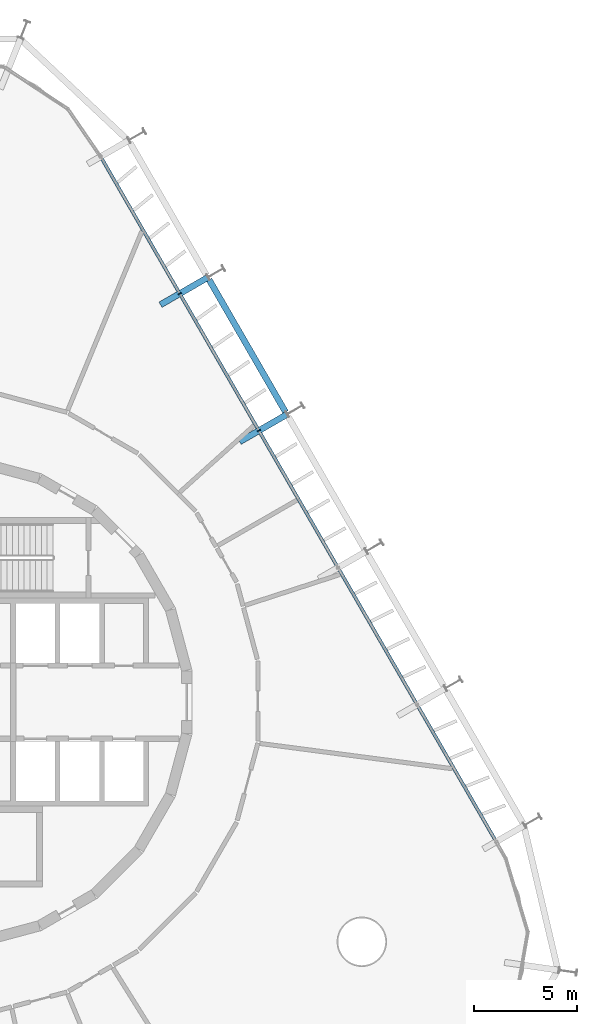
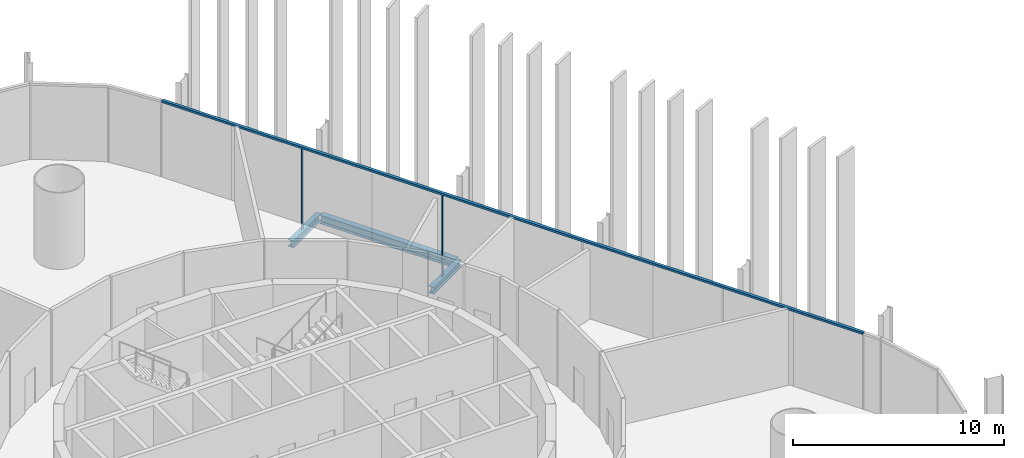
# One storey, part 10 of 17: 3 beams, 3 members, 1 element without a shape of its own.
"""IFC4 building model written with IfcOpenShell, lengths in metres."""

import ifcopenshell
import ifcopenshell.guid

model = None  # the IFC model being written
_history = None  # IfcOwnerHistory: only IFC2X3 demands one
_inside = {}  # id of a spatial element -> (the spatial element, [elements in it])
_under = {}  # id of a project, library or spatial element -> (it, [spatial elements below it])
_declared = {}  # id of a project -> (the project, [libraries it declares])
_typed = {}  # id of a type object -> (the type object, [elements of that type])
_made_of = {}  # id of a material, layer set ... -> (it, [elements and type objects made of it])


def new_model(schema):
    """Start an empty IFC model of exactly this schema.

    Asked for "IFC4X3", IfcOpenShell would pick the latest addendum, in which some entities
    have other attributes; the version numbers below select the first issue.
    IFC2X3 requires an IfcOwnerHistory on every rooted entity: one is made here for all.
    """
    global model, _history
    if schema == "IFC4X3":
        model = ifcopenshell.file(schema_version=(4, 3, 0, 0))
    else:
        model = ifcopenshell.file(schema=schema)
    _inside.clear()
    _under.clear()
    _declared.clear()
    _typed.clear()
    _made_of.clear()
    _history = None
    if model.schema == "IFC2X3":
        org = make("IfcOrganization", Name="unknown")
        user = make(
            "IfcPersonAndOrganization",
            ThePerson=make("IfcPerson", FamilyName="unknown"),
            TheOrganization=org,
        )
        app = make(
            "IfcApplication",
            ApplicationDeveloper=org,
            Version="unknown",
            ApplicationFullName="unknown",
            ApplicationIdentifier="unknown",
        )
        _history = make(
            "IfcOwnerHistory",
            OwningUser=user,
            OwningApplication=app,
            ChangeAction="ADDED",
            CreationDate=0,
        )
    return model


def make(cls, **values):
    """One entity of the class cls with the attributes given. An attribute that is None is left unset."""
    return model.create_entity(
        cls, **{name: value for name, value in values.items() if value is not None}
    )


def rooted(cls, **values):
    """An entity with a GlobalId (a new one), such as an element, a storey or a relation."""
    return make(cls, GlobalId=ifcopenshell.guid.new(), OwnerHistory=_history, **values)


def si_unit(unit_type, name, prefix=None):
    """IfcSIUnit, for example si_unit("LENGTHUNIT", "METRE", prefix="MILLI")."""
    return make("IfcSIUnit", UnitType=unit_type, Prefix=prefix, Name=name)


def assignment(units):
    """IfcUnitAssignment: the units of a project."""
    return None if units is None else make("IfcUnitAssignment", Units=units)


def point(xyz):
    """IfcCartesianPoint."""
    return None if xyz is None else make("IfcCartesianPoint", Coordinates=xyz)


def direction(xyz):
    """IfcDirection."""
    return None if xyz is None else make("IfcDirection", DirectionRatios=xyz)


def frame(location, z_axis=None, x_axis=None):
    """IfcAxis2Placement3D, a coordinate frame: its origin and axes. An axis left out is left unset."""
    return make(
        "IfcAxis2Placement3D",
        Location=point(location),
        Axis=direction(z_axis),
        RefDirection=direction(x_axis),
    )


def frame_2d(location, x_axis=None):
    """IfcAxis2Placement2D, a coordinate frame in the plane: its origin and x axis."""
    return make(
        "IfcAxis2Placement2D", Location=point(location), RefDirection=direction(x_axis)
    )


def origin():
    """The frame at (0, 0, 0) with its axes left unset."""
    return frame((0.0, 0.0, 0.0))


def origin_2d():
    """The frame at (0, 0) in the plane with its x axis left unset."""
    return frame_2d((0.0, 0.0))


def place(relative_to, where):
    """IfcLocalPlacement: puts the frame where relative to a parent placement (None: the world)."""
    return make(
        "IfcLocalPlacement", PlacementRelTo=relative_to, RelativePlacement=where
    )


def context(
    kind, dimensions, precision=None, world=None, true_north=None, identifier=None
):
    """IfcGeometricRepresentationContext, for example the 3D "Model" context."""
    return make(
        "IfcGeometricRepresentationContext",
        ContextIdentifier=identifier,
        ContextType=kind,
        CoordinateSpaceDimension=dimensions,
        Precision=precision,
        WorldCoordinateSystem=world,
        TrueNorth=true_north,
    )


def subcontext(parent, identifier, kind, view, scale=None):
    """IfcGeometricRepresentationSubContext, for example "Body" below "Model"."""
    return make(
        "IfcGeometricRepresentationSubContext",
        ContextIdentifier=identifier,
        ContextType=kind,
        ParentContext=parent,
        TargetScale=scale,
        TargetView=view,
    )


def project(units=None, contexts=None):
    """IfcProject with its units and contexts."""
    return rooted(
        "IfcProject",
        Name="project",
        RepresentationContexts=contexts,
        UnitsInContext=assignment(units),
    )


def spatial(cls, under=None, at=None, **own):
    """A site, building, storey or space (cls), placed at a placement, below another one or the project."""
    s = rooted(cls, ObjectPlacement=at, **own)
    if under is not None:
        _under.setdefault(under.id(), (under, []))[1].append(s)
    return s


def profile(cls, at=None, kind="AREA", **sizes):
    """A parametric profile (cls). Its sizes go by their IFC names, for example OverallWidth=200.0."""
    return make(cls, ProfileType=kind, Position=at, **sizes)


def rectangle(**sizes):
    """IfcRectangleProfileDef."""
    return profile("IfcRectangleProfileDef", **sizes)


def i_section(**sizes):
    """IfcIShapeProfileDef."""
    return profile("IfcIShapeProfileDef", **sizes)


def extrude(swept, where, along, depth):
    """IfcExtrudedAreaSolid: the profile swept, set in the frame where, extruded along a direction by depth."""
    return make(
        "IfcExtrudedAreaSolid",
        SweptArea=swept,
        Position=where,
        ExtrudedDirection=direction(along),
        Depth=depth,
    )


def shape(context_of_items, identifier, shape_type, items):
    """IfcShapeRepresentation: the items that make up one representation, for example the "Body"."""
    return make(
        "IfcShapeRepresentation",
        ContextOfItems=context_of_items,
        RepresentationIdentifier=identifier,
        RepresentationType=shape_type,
        Items=items,
    )


def material(Name=None, Category=None):
    """IfcMaterial."""
    return make("IfcMaterial", Name=Name, Category=Category)


def layer(
    of_material, thickness, ventilated=None, Name=None, Category=None, Priority=None
):
    """IfcMaterialLayer: one layer of a wall or slab, of a material (None: an air gap)."""
    return make(
        "IfcMaterialLayer",
        Material=of_material,
        LayerThickness=thickness,
        IsVentilated=ventilated,
        Name=Name,
        Category=Category,
        Priority=Priority,
    )


def layer_set(layers, Name=None):
    """IfcMaterialLayerSet."""
    return make("IfcMaterialLayerSet", MaterialLayers=layers, LayerSetName=Name)


def material_profile(
    of_material, cross_section, Name=None, Category=None, Priority=None
):
    """IfcMaterialProfile: a cross section and its material."""
    return make(
        "IfcMaterialProfile",
        Name=Name,
        Material=of_material,
        Profile=cross_section,
        Priority=Priority,
        Category=Category,
    )


def profile_set(profiles, Name=None, composite=None):
    """IfcMaterialProfileSet."""
    return make(
        "IfcMaterialProfileSet",
        Name=Name,
        MaterialProfiles=profiles,
        CompositeProfile=composite,
    )


def made_of(thing, what):
    """Note that an element or type object is made of a material, layer set ...; save() writes the relation."""
    if what is not None:
        _made_of.setdefault(what.id(), (what, []))[1].append(thing)
    return thing


def type_object(cls, material=None, **own):
    """A type object (cls), such as IfcWallType, which elements share."""
    return made_of(rooted(cls, **own), material)


def element(
    cls,
    number,
    at=None,
    inside=None,
    cuts=None,
    type_object=None,
    material=None,
    context=None,
    identifier="Body",
    shape_type=None,
    held_by="IfcProductDefinitionShape",
    body=None,
    shapes=None,
    **own,
):
    """One element of the class cls, such as IfcWall. Its Tag is "e" and its number.

    at: its placement. inside: the storey or other place that contains it. cuts: it is an
    opening in that element (IfcRelVoidsElement). A single representation is given by context,
    identifier, shape_type and body (its items); several are given by shapes. held_by: the class
    of the entity that holds the representations. save() writes the other relations.
    """
    e = rooted(cls, Tag="e%d" % number, ObjectPlacement=at, **own)
    if body is not None:
        shapes = [shape(context, identifier, shape_type, body)]
    if shapes is not None:
        e.Representation = make(held_by, Representations=shapes)
    if inside is not None:
        _inside.setdefault(inside.id(), (inside, []))[1].append(e)
    if cuts is not None:
        rooted(
            "IfcRelVoidsElement", RelatingBuildingElement=cuts, RelatedOpeningElement=e
        )
    if type_object is not None:
        _typed.setdefault(type_object.id(), (type_object, []))[1].append(e)
    return made_of(e, material)


def aggregate(whole, parts):
    """IfcRelAggregates: a whole, such as a stair, and the parts it consists of."""
    return rooted("IfcRelAggregates", RelatingObject=whole, RelatedObjects=parts)


def save(model, path):
    """Write the relations noted so far, then the file.

    IfcRelAggregates (storeys below a building ...), IfcRelContainedInSpatialStructure (elements
    in a storey), IfcRelDefinesByType, IfcRelAssociatesMaterial and IfcRelDeclares: one each for
    every whole, place, type object, material and project.
    """
    for whole, parts in _under.values():
        aggregate(whole, parts)
    for where, things in _inside.values():
        rooted(
            "IfcRelContainedInSpatialStructure",
            RelatedElements=things,
            RelatingStructure=where,
        )
    for kind, things in _typed.values():
        rooted("IfcRelDefinesByType", RelatedObjects=things, RelatingType=kind)
    for what, things in _made_of.values():
        rooted("IfcRelAssociatesMaterial", RelatedObjects=things, RelatingMaterial=what)
    for by, libraries in _declared.values():
        rooted("IfcRelDeclares", RelatingContext=by, RelatedDefinitions=libraries)
    model.write(path)


model = new_model("IFC4")

# Units and contexts
model_context = context("Model", 3, precision=1e-05, world=origin(), true_north=direction((0.0, 1.0)))
body_context = subcontext(model_context, "Body", "Model", "MODEL_VIEW")
ifc_project = project(units=[si_unit("LENGTHUNIT", "METRE"), si_unit("AREAUNIT", "SQUARE_METRE"), si_unit("VOLUMEUNIT", "CUBIC_METRE"), si_unit("PLANEANGLEUNIT", "RADIAN"), si_unit("MASSUNIT", "GRAM", prefix="KILO")], contexts=[model_context])

# Site, building, storey
site_placement = place(None, origin())
site = spatial("IfcSite", under=ifc_project, at=site_placement, CompositionType="ELEMENT")
building_placement = place(site_placement, origin())
building = spatial("IfcBuilding", under=site, at=building_placement, Name="Spindle Arch Residences", CompositionType="ELEMENT")
storey_placement = place(building_placement, frame((0.0, 0.0, 18.60009765625)))
storey = spatial("IfcBuildingStorey", under=building, at=storey_placement, Name="L03", CompositionType="ELEMENT", Elevation=18.60009765625)

# Curtain wall, members
ifc_material_1 = material(Name="Aluminium bronze unitised frame with tinted glass", Category="aluminium")
ifc_layer = layer(ifc_material_1, 0.159912109375)
ifc_layer_set = layer_set([ifc_layer], Name="CW-B amenity podium glazed wall")
curtain_wall_type = type_object("IfcCurtainWallType", Name="CW-B amenity podium glazed wall", PredefinedType="NOTDEFINED", material=ifc_layer_set)
curtain_wall_placement = place(storey_placement, origin())
curtain_wall = element("IfcCurtainWall", 1, at=curtain_wall_placement, inside=storey, type_object=curtain_wall_type, Name="CW-B L03 run 2", PredefinedType="NOTDEFINED")
ifc_material_2 = material(Name="Aluminium bronze anodised mullion", Category="aluminium")
ifc_material_profile_1 = material_profile(ifc_material_2, rectangle(XDim=0.159912109375, YDim=0.06005859375, at=origin_2d()), Name="MU 60x160")
ifc_profile_set_1 = profile_set([ifc_material_profile_1], Name="Aluminium bronze anodised mullion")
member_type_1 = type_object("IfcMemberType", Name="Bronze mullion 60x160", PredefinedType="MULLION", material=ifc_profile_set_1)
member_1_placement = place(storey_placement, frame((15.149169921875, 13.180419921875, -0.380126953125), z_axis=(0.0, 0.0, 1.0), x_axis=(-0.866025403784, -0.5, 0.0)))
member_1 = element("IfcMember", 2, at=member_1_placement, type_object=member_type_1, Name="CW-B mullion 08", PredefinedType="MULLION", context=body_context, shape_type="SweptSolid", body=[
    extrude(rectangle(XDim=0.159912109375, YDim=0.06005859375, at=origin_2d()), origin(), (0.0, 0.0, 1.0), 4.679931640625),
])
member_2_placement = place(storey_placement, frame((11.309326171875, 19.83154296875, -0.380126953125), z_axis=(0.0, 0.0, 1.0), x_axis=(-0.866025403784, -0.5, 0.0)))
member_2 = element("IfcMember", 3, at=member_2_placement, type_object=member_type_1, Name="CW-B mullion 09", PredefinedType="MULLION", context=body_context, shape_type="SweptSolid", body=[
    extrude(rectangle(XDim=0.159912109375, YDim=0.06005859375, at=origin_2d()), origin(), (0.0, 0.0, 1.0), 4.679931640625),
])
ifc_material_3 = material(Name="Aluminium bronze anodised transom", Category="aluminium")
ifc_material_profile_2 = material_profile(ifc_material_3, rectangle(XDim=0.159912109375, YDim=0.1201171875, at=origin_2d()), Name="TR 120x160")
ifc_profile_set_2 = profile_set([ifc_material_profile_2], Name="Aluminium bronze anodised transom")
member_type_2 = type_object("IfcMemberType", Name="Bronze transom 120x160", PredefinedType="USERDEFINED", material=ifc_profile_set_2)
member_3_placement = place(storey_placement, frame((26.654296875, -6.746826171875, 4.35986328125), z_axis=(-0.50000099666, 0.866024828362, 0.0), x_axis=(-0.866024828362, -0.50000099666, 0.0)))
member_3 = element("IfcMember", 4, at=member_3_placement, type_object=member_type_2, Name="CW-B transom 00", ObjectType="TRANSOM", PredefinedType="USERDEFINED", context=body_context, shape_type="SweptSolid", body=[
    extrude(rectangle(XDim=0.159912109375, YDim=0.1201171875, at=origin_2d()), origin(), (0.0, 0.0, 1.0), 38.34033203125),
])
aggregate(curtain_wall, [member_3, member_1, member_2])

# Beams
ifc_material_4 = material(Name="Steel S460ML, intumescent coating R 120", Category="steel")
ifc_material_profile_3 = material_profile(ifc_material_4, i_section(OverallWidth=0.300048828125, OverallDepth=0.5, WebThickness=0.014404296875, FlangeThickness=0.028076171875, FilletRadius=0.027099609375, at=origin_2d()), Name="HEB 500")
ifc_profile_set_3 = profile_set([ifc_material_profile_3], Name="Steel S460ML, intumescent coating R 120")
beam_type_1 = type_object("IfcBeamType", Name="Exoskeleton edge beam HEB 500", PredefinedType="BEAM", material=ifc_profile_set_3)
beam_placement = place(storey_placement, frame((16.44384765625, 14.078125, -0.630126953125), z_axis=(-0.49998923004, 0.866031621735, 0.0), x_axis=(-0.866031621735, -0.49998923004, 0.0)))
element("IfcBeam", 5, at=beam_placement, inside=storey, type_object=beam_type_1, Name="Exoskeleton edge beam 9", PredefinedType="BEAM", context=body_context, shape_type="SweptSolid", body=[
    extrude(i_section(OverallWidth=0.300048828125, OverallDepth=0.5, WebThickness=0.014404296875, FlangeThickness=0.028076171875, FilletRadius=0.027099609375, at=origin_2d()), origin(), (0.0, 0.0, 1.0), 7.420166015625),
])
ifc_material_5 = material(Name="Steel S460ML, intumescent coating R 120", Category="steel")
ifc_material_profile_4 = material_profile(ifc_material_5, i_section(OverallWidth=0.300048828125, OverallDepth=0.389892578125, WebThickness=0.010986328125, FlangeThickness=0.01904296875, FilletRadius=0.027099609375, at=origin_2d()), Name="HEA 400")
ifc_profile_set_4 = profile_set([ifc_material_profile_4], Name="Steel S460ML, intumescent coating R 120")
beam_type_2 = type_object("IfcBeamType", Name="Floor outrigger HEA 400", PredefinedType="BEAM", material=ifc_profile_set_4)
for number, where, z_axis, x_axis, name in (
    (6, (16.5087890625, 13.965576171875, -0.5751953125), (-0.865989200783, -0.500062700197, 0.0), (0.500062700197, -0.865989200783, 0.0), "Floor outrigger 9"),
    (7, (12.6689453125, 20.61669921875, -0.5751953125), (-0.866052124492, -0.499953715521, 0.0), (0.499953715521, -0.866052124492, 0.0), "Floor outrigger 10"),
):
    element("IfcBeam", number, at=place(storey_placement, frame(where, z_axis=z_axis, x_axis=x_axis)), inside=storey, type_object=beam_type_2, Name=name, PredefinedType="BEAM", context=body_context, shape_type="SweptSolid", body=[
        extrude(i_section(OverallWidth=0.300048828125, OverallDepth=0.389892578125, WebThickness=0.010986328125, FlangeThickness=0.01904296875, FilletRadius=0.027099609375, at=origin_2d()), origin(), (0.0, 0.0, 1.0), 2.650146484375),
    ])

save(model, "model.ifc")
